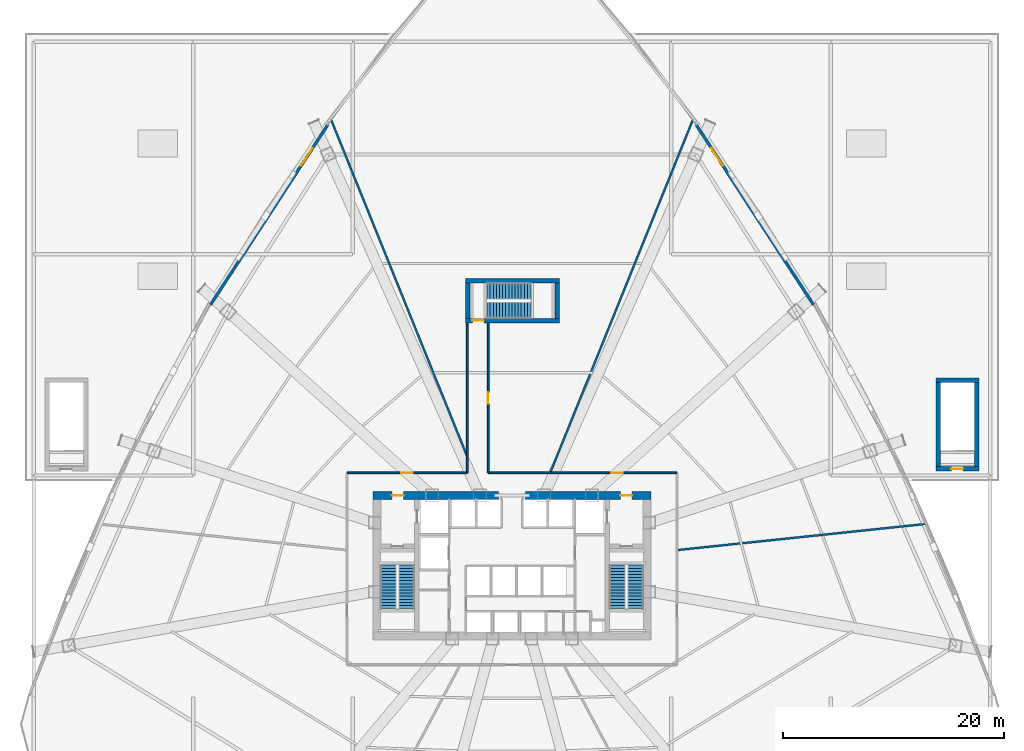
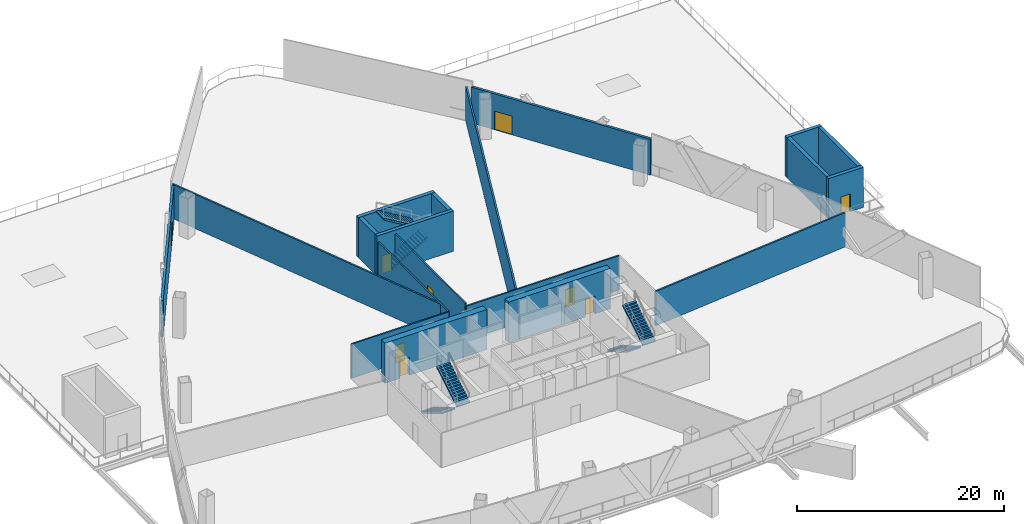
# One storey, part 11 of 18: 19 walls, 9 doors, 6 stair flights, 9 openings, 3 elements without a shape of their own.
"""IFC4 building model written with IfcOpenShell, lengths in metres."""

from ifc_helpers import new_model, si_unit, direction, frame, frame_2d, origin, origin_with_axes, place, context, subcontext, project, spatial, polyline, rectangle, outline, extrude, source, transform, mapped, material, layer, layer_set, type_object, element, fill, aggregate, save


model = new_model("IFC4")

# Units and contexts
model_context = context("Model", 3, precision=1e-05, world=origin(), true_north=direction((0.0, 1.0)))
body_context = subcontext(model_context, "Body", "Model", "MODEL_VIEW")
ifc_project = project(units=[si_unit("LENGTHUNIT", "METRE"), si_unit("AREAUNIT", "SQUARE_METRE"), si_unit("VOLUMEUNIT", "CUBIC_METRE"), si_unit("PLANEANGLEUNIT", "RADIAN"), si_unit("MASSUNIT", "GRAM", prefix="KILO"), si_unit("THERMODYNAMICTEMPERATUREUNIT", "KELVIN"), si_unit("POWERUNIT", "WATT")], contexts=[model_context])

# Site, building, storey
site_placement = place(None, origin())
site = spatial("IfcSite", under=ifc_project, at=site_placement, CompositionType="ELEMENT")
building_placement = place(site_placement, origin())
building = spatial("IfcBuilding", under=site, at=building_placement, Name="Yunzhuo Pagoda Commons", CompositionType="ELEMENT")
storey_placement = place(building_placement, frame((0.0, 0.0, 25.39990234375)))
storey = spatial("IfcBuildingStorey", under=building, at=storey_placement, Name="L06", CompositionType="ELEMENT", Elevation=25.39990234375)

# Wall, opening, door
ifc_material_1 = material(Name="Precast concrete C40", Category="concrete")
ifc_layer_1 = layer(ifc_material_1, 0.260009765625)
ifc_layer_set_1 = layer_set([ifc_layer_1], Name="Precast concrete C40")
wall_type_1 = type_object("IfcWallType", Name="W-BAL1 Corner Balcony Threshold Wall 260", PredefinedType="STANDARD", material=ifc_layer_set_1)
wall_1_placement = place(storey_placement, frame((75.2333984375, 57.429443359375, 0.0), z_axis=(0.0, 0.0, 1.0), x_axis=(-0.54584859594, 0.837883828648, 0.0)))
wall_1 = element("IfcWall", 1, at=wall_1_placement, inside=storey, type_object=wall_type_1, Name="L06 E roof garden access wall", PredefinedType="STANDARD", context=body_context, shape_type="SweptSolid", body=[
    extrude(rectangle(XDim=19.385986328125, YDim=0.260009765625, at=frame_2d((9.69287109375, 0.0))), origin(), (0.0, 0.0, 1.0), 4.239990234375),
])
opening_1_placement = place(wall_1_placement, frame((14.98583984375, 0.0, 0.0)))
opening_1 = element("IfcOpeningElement", 2, at=opening_1_placement, cuts=wall_1, Name="Opening D-TER1", PredefinedType="OPENING", context=body_context, shape_type="SweptSolid", body=[
    extrude(rectangle(XDim=1.89990234375, YDim=2.199951171875, at=frame_2d((0.949951171875, 1.10009765625))), frame((0.0, 0.14013671875, 0.0), z_axis=(0.0, -1.0, 0.0), x_axis=(1.0, 0.0, 0.0)), (0.0, 0.0, 1.0), 0.280029296875),
])
ifc_material_2 = material(Name="Anodized aluminium frame and tempered glazed leaf", Category="aluminium")
door_type_1 = type_object("IfcDoorType", Name="D-TER1 Double Sliding Terrace Door 1900x2200", OperationType="DOUBLE_DOOR_SLIDING", PredefinedType="DOOR", material=ifc_material_2)
shared_shape_1 = source(origin(), body_context, "Body", "SweptSolid", [
    extrude(rectangle(XDim=1.89990234375, YDim=2.199951171875, at=frame_2d((0.949951171875, 1.10009765625))), frame((0.0, 0.02490234375, 0.0), z_axis=(0.0, -1.0, 0.0), x_axis=(1.0, 0.0, 0.0)), (0.0, 0.0, 1.0), 0.050048828125),
])
door_1_placement = place(opening_1_placement, origin_with_axes())
door_1 = element("IfcDoor", 3, at=door_1_placement, inside=storey, type_object=door_type_1, Name="L06 east podium roof garden door", OperationType="DOUBLE_DOOR_SLIDING", OverallHeight=2.199951171875, OverallWidth=1.89990234375, PredefinedType="DOOR", context=body_context, shape_type="MappedRepresentation", body=[
    mapped(shared_shape_1, transform((0.0, 0.0, 0.0), scale=1.0)),
])
fill(opening_1, door_1)

wall_2_placement = place(storey_placement, frame((31.348388671875, 73.672607421875, 0.0), z_axis=(0.0, 0.0, 1.0), x_axis=(-0.54584859594, -0.837883828648, 0.0)))
wall_2 = element("IfcWall", 4, at=wall_2_placement, inside=storey, type_object=wall_type_1, Name="L06 W roof garden access wall", PredefinedType="STANDARD", context=body_context, shape_type="SweptSolid", body=[
    extrude(rectangle(XDim=19.385986328125, YDim=0.260009765625, at=frame_2d((9.69287109375, 0.0))), origin(), (0.0, 0.0, 1.0), 4.239990234375),
])
opening_2_placement = place(wall_2_placement, frame((2.5, 0.0, 0.0)))
opening_2 = element("IfcOpeningElement", 5, at=opening_2_placement, cuts=wall_2, Name="Opening D-TER1", PredefinedType="OPENING", context=body_context, shape_type="SweptSolid", body=[
    extrude(rectangle(XDim=1.89990234375, YDim=2.199951171875, at=frame_2d((0.949951171875, 1.10009765625))), frame((0.0, 0.14013671875, 0.0), z_axis=(0.0, -1.0, 0.0), x_axis=(1.0, 0.0, 0.0)), (0.0, 0.0, 1.0), 0.280029296875),
])
door_2_placement = place(opening_2_placement, origin_with_axes())
door_2 = element("IfcDoor", 6, at=door_2_placement, inside=storey, type_object=door_type_1, Name="L06 west podium roof garden door", OperationType="DOUBLE_DOOR_SLIDING", OverallHeight=2.199951171875, OverallWidth=1.89990234375, PredefinedType="DOOR", context=body_context, shape_type="MappedRepresentation", body=[
    mapped(shared_shape_1, transform((0.0, 0.0, 0.0), scale=1.0)),
])
fill(opening_2, door_2)

ifc_material_3 = material(Name="Concrete C60", Category="concrete")
ifc_layer_2 = layer(ifc_material_3, 0.699951171875)
ifc_layer_set_2 = layer_set([ifc_layer_2], Name="Concrete C60")
wall_type_2 = type_object("IfcWallType", Name="W-C01 Lower Core Shear Wall 700", PredefinedType="SHEAR", material=ifc_layer_set_2)
wall_3_placement = place(storey_placement, frame((35.449951171875, 40.199951171875, 0.0), z_axis=(0.0, 0.0, 1.0), x_axis=(1.0, 0.0, 0.0)))
wall_3 = element("IfcWall", 7, at=wall_3_placement, inside=storey, type_object=wall_type_2, Name="L06 core shear wall NW", PredefinedType="SHEAR", context=body_context, shape_type="SweptSolid", body=[
    extrude(rectangle(XDim=11.35009765625, YDim=0.699951171875, at=frame_2d((5.675048828125, 0.0))), origin(), (0.0, 0.0, 1.0), 4.739990234375),
])
opening_3_placement = place(wall_3_placement, frame((1.699951171875, 0.0, 0.0)))
opening_3 = element("IfcOpeningElement", 8, at=opening_3_placement, cuts=wall_3, Name="Opening D-02", PredefinedType="OPENING", context=body_context, shape_type="SweptSolid", body=[
    extrude(rectangle(XDim=1.050048828125, YDim=2.10009765625, at=frame_2d((0.52490234375, 1.050048828125))), frame((0.0, 0.35986328125, 0.0), z_axis=(0.0, -1.0, 0.0), x_axis=(1.0, 0.0, 0.0)), (0.0, 0.0, 1.0), 0.719970703125),
])
ifc_material_4 = material(Name="Galvanized fire-resisting metal leaf")
door_type_2 = type_object("IfcDoorType", Name="D-02 Firefighting Lobby & Refuge Fire Door 1050x2100", OperationType="NOTDEFINED", PredefinedType="DOOR", material=ifc_material_4)
shared_shape_2 = source(origin(), body_context, "Body", "SweptSolid", [
    extrude(rectangle(XDim=1.050048828125, YDim=2.10009765625, at=frame_2d((0.52490234375, 1.050048828125))), frame((0.0, 0.02490234375, 0.0), z_axis=(0.0, -1.0, 0.0), x_axis=(1.0, 0.0, 0.0)), (0.0, 0.0, 1.0), 0.050048828125),
])
door_3_placement = place(opening_3_placement, frame((1.050048828125, 0.0, 0.0), z_axis=(0.0, 0.0, 1.0), x_axis=(-1.0, 0.0, 0.0)))
door_3 = element("IfcDoor", 9, at=door_3_placement, inside=storey, type_object=door_type_2, Name="L06 Firefighting Lobby 1 fire door", OperationType="SINGLE_SWING_LEFT", OverallHeight=2.10009765625, OverallWidth=1.050048828125, PredefinedType="DOOR", context=body_context, shape_type="MappedRepresentation", body=[
    mapped(shared_shape_2, transform((0.0, 0.0, 0.0), scale=1.0)),
])
fill(opening_3, door_3)

wall_4_placement = place(storey_placement, frame((49.199951171875, 40.199951171875, 0.0), z_axis=(0.0, 0.0, 1.0), x_axis=(1.0, 0.0, 0.0)))
wall_4 = element("IfcWall", 10, at=wall_4_placement, inside=storey, type_object=wall_type_2, Name="L06 core shear wall NE", PredefinedType="SHEAR", context=body_context, shape_type="SweptSolid", body=[
    extrude(rectangle(XDim=11.35009765625, YDim=0.699951171875, at=frame_2d((5.675048828125, 0.0))), origin(), (0.0, 0.0, 1.0), 4.739990234375),
])
opening_4_placement = place(wall_4_placement, frame((8.60009765625, 0.0, 0.0)))
opening_4 = element("IfcOpeningElement", 11, at=opening_4_placement, cuts=wall_4, Name="Opening D-02", PredefinedType="OPENING", context=body_context, shape_type="SweptSolid", body=[
    extrude(rectangle(XDim=1.050048828125, YDim=2.10009765625, at=frame_2d((0.52490234375, 1.050048828125))), frame((0.0, 0.35986328125, 0.0), z_axis=(0.0, -1.0, 0.0), x_axis=(1.0, 0.0, 0.0)), (0.0, 0.0, 1.0), 0.719970703125),
])
door_4_placement = place(opening_4_placement, frame((1.050048828125, 0.0, 0.0), z_axis=(0.0, 0.0, 1.0), x_axis=(-1.0, 0.0, 0.0)))
door_4 = element("IfcDoor", 12, at=door_4_placement, inside=storey, type_object=door_type_2, Name="L06 Firefighting Lobby 2 fire door", OperationType="SINGLE_SWING_RIGHT", OverallHeight=2.10009765625, OverallWidth=1.050048828125, PredefinedType="DOOR", context=body_context, shape_type="MappedRepresentation", body=[
    mapped(shared_shape_2, transform((0.0, 0.0, 0.0), scale=1.0)),
])
fill(opening_4, door_4)

ifc_material_5 = material(Name="Gypsum plasterboard on acoustic stud")
ifc_layer_3 = layer(ifc_material_5, 0.159912109375)
ifc_layer_set_3 = layer_set([ifc_layer_3], Name="Gypsum plasterboard on acoustic stud")
wall_type_3 = type_object("IfcWallType", Name="W-COR1 Tower Rated Corridor Wall 160", PredefinedType="PARTITIONING", material=ifc_layer_set_3)
wall_5_placement = place(storey_placement, frame((45.85009765625, 55.780029296875, 0.0), z_axis=(0.0, 0.0, 1.0), x_axis=(0.0, -1.0, 0.0)))
wall_5 = element("IfcWall", 13, at=wall_5_placement, inside=storey, type_object=wall_type_3, Name="L06 interior wall IW-L06-SCW01", PredefinedType="PARTITIONING", context=body_context, shape_type="SweptSolid", body=[
    extrude(rectangle(XDim=13.530029296875, YDim=0.159912109375, at=frame_2d((6.76513671875, 0.0))), origin(), (0.0, 0.0, 1.0), 4.340087890625),
])
opening_5_placement = place(wall_5_placement, frame((6.239990234375, 0.0, 0.0)))
opening_5 = element("IfcOpeningElement", 14, at=opening_5_placement, cuts=wall_5, Name="Opening D-02", PredefinedType="OPENING", context=body_context, shape_type="SweptSolid", body=[
    extrude(rectangle(XDim=1.050048828125, YDim=2.10009765625, at=frame_2d((0.52490234375, 1.050048828125))), frame((0.0, 0.08984375, 0.0), z_axis=(0.0, -1.0, 0.0), x_axis=(1.0, 0.0, 0.0)), (0.0, 0.0, 1.0), 0.179931640625),
])
door_5_placement = place(opening_5_placement, origin_with_axes())
door_5 = element("IfcDoor", 15, at=door_5_placement, inside=storey, type_object=door_type_2, Name="L06 North Refuge Area door", OperationType="SINGLE_SWING_RIGHT", OverallHeight=2.10009765625, OverallWidth=1.050048828125, PredefinedType="DOOR", context=body_context, shape_type="MappedRepresentation", body=[
    mapped(shared_shape_2, transform((0.0, 0.0, 0.0), scale=1.0)),
])
fill(opening_5, door_5)

wall_6_placement = place(storey_placement, frame((45.85009765625, 42.25, 0.0), z_axis=(0.0, 0.0, 1.0), x_axis=(1.0, 0.0, 0.0)))
wall_6 = element("IfcWall", 16, at=wall_6_placement, inside=storey, type_object=wall_type_3, Name="L06 interior wall IW-L06-SCW02", PredefinedType="PARTITIONING", context=body_context, shape_type="SweptSolid", body=[
    extrude(rectangle(XDim=17.0498046875, YDim=0.159912109375, at=frame_2d((8.52490234375, 0.0))), origin(), (0.0, 0.0, 1.0), 4.0400390625),
])
opening_6_placement = place(wall_6_placement, frame((11.102294921875, 0.0, 0.0)))
opening_6 = element("IfcOpeningElement", 17, at=opening_6_placement, cuts=wall_6, Name="Opening D-02", PredefinedType="OPENING", context=body_context, shape_type="SweptSolid", body=[
    extrude(rectangle(XDim=1.050048828125, YDim=2.10009765625, at=frame_2d((0.52490234375, 1.050048828125))), frame((0.0, 0.08984375, 0.0), z_axis=(0.0, -1.0, 0.0), x_axis=(1.0, 0.0, 0.0)), (0.0, 0.0, 1.0), 0.179931640625),
])
door_6_placement = place(opening_6_placement, origin_with_axes())
door_6 = element("IfcDoor", 18, at=door_6_placement, inside=storey, type_object=door_type_2, Name="L06 Air Handling Plant Room door", OperationType="SINGLE_SWING_LEFT", OverallHeight=2.10009765625, OverallWidth=1.050048828125, PredefinedType="DOOR", context=body_context, shape_type="MappedRepresentation", body=[
    mapped(shared_shape_2, transform((0.0, 0.0, 0.0), scale=1.0)),
])
fill(opening_6, door_6)

wall_7_placement = place(storey_placement, frame((33.10009765625, 42.25, 0.0), z_axis=(0.0, 0.0, 1.0), x_axis=(1.0, 0.0, 0.0)))
wall_7 = element("IfcWall", 19, at=wall_7_placement, inside=storey, type_object=wall_type_3, Name="L06 interior wall IW-L06-SCW06", PredefinedType="PARTITIONING", context=body_context, shape_type="SweptSolid", body=[
    extrude(rectangle(XDim=10.849853515625, YDim=0.159912109375, at=frame_2d((5.4248046875, 0.0))), origin(), (0.0, 0.0, 1.0), 4.0400390625),
])
opening_7_placement = place(wall_7_placement, frame((4.89990234375, 0.0, 0.0)))
opening_7 = element("IfcOpeningElement", 20, at=opening_7_placement, cuts=wall_7, Name="Opening D-02", PredefinedType="OPENING", context=body_context, shape_type="SweptSolid", body=[
    extrude(rectangle(XDim=1.050048828125, YDim=2.10009765625, at=frame_2d((0.52490234375, 1.050048828125))), frame((0.0, 0.08984375, 0.0), z_axis=(0.0, -1.0, 0.0), x_axis=(1.0, 0.0, 0.0)), (0.0, 0.0, 1.0), 0.179931640625),
])
door_7_placement = place(opening_7_placement, origin_with_axes())
door_7 = element("IfcDoor", 21, at=door_7_placement, inside=storey, type_object=door_type_2, Name="L06 Hydronic and Fire Pump Plant Room door", OperationType="SINGLE_SWING_LEFT", OverallHeight=2.10009765625, OverallWidth=1.050048828125, PredefinedType="DOOR", context=body_context, shape_type="MappedRepresentation", body=[
    mapped(shared_shape_2, transform((0.0, 0.0, 0.0), scale=1.0)),
])
fill(opening_7, door_7)

# Walls
wall_8_placement = place(storey_placement, frame((43.949951171875, 42.25, 0.0), z_axis=(0.0, 0.0, 1.0), x_axis=(0.0, 1.0, 0.0)))
element("IfcWall", 22, at=wall_8_placement, inside=storey, type_object=wall_type_3, Name="L06 interior wall IW-L06-SCW07", PredefinedType="PARTITIONING", context=body_context, shape_type="SweptSolid", body=[
    extrude(rectangle(XDim=13.530029296875, YDim=0.159912109375, at=frame_2d((6.76513671875, 0.0))), origin(), (0.0, 0.0, 1.0), 4.0400390625),
])
ifc_layer_4 = layer(ifc_material_5, 0.179931640625)
ifc_layer_set_4 = layer_set([ifc_layer_4], Name="Gypsum plasterboard on acoustic stud")
wall_type_4 = type_object("IfcWallType", Name="W-PRT2 Acoustic Unit Demising Wall 180", PredefinedType="PARTITIONING", material=ifc_layer_set_4)
wall_9_placement = place(storey_placement, frame((62.89990234375, 35.26611328125, 0.0), z_axis=(0.0, 0.0, 1.0), x_axis=(0.994522243654, 0.104525149493, 0.0)))
element("IfcWall", 23, at=wall_9_placement, inside=storey, type_object=wall_type_4, Name="L06 interior wall IW-L06-SRAD1", PredefinedType="PARTITIONING", context=body_context, shape_type="SweptSolid", body=[
    extrude(rectangle(XDim=22.609619140625, YDim=0.179931640625, at=frame_2d((11.3046875, 0.0))), origin(), (0.0, 0.0, 1.0), 4.0400390625),
])
wall_10_placement = place(storey_placement, frame((51.454345703125, 42.25, 0.0), z_axis=(0.0, 0.0, 1.0), x_axis=(0.37460745467, 0.927183506597, 0.0)))
element("IfcWall", 24, at=wall_10_placement, inside=storey, type_object=wall_type_4, Name="L06 interior wall IW-L06-SRAD2", PredefinedType="PARTITIONING", context=body_context, shape_type="SweptSolid", body=[
    extrude(rectangle(XDim=34.521728515625, YDim=0.179931640625, at=frame_2d((17.2607421875, 0.0))), origin(), (0.0, 0.0, 1.0), 4.0400390625),
])
wall_11_placement = place(storey_placement, frame((43.949951171875, 43.72412109375, 0.0), z_axis=(0.0, 0.0, 1.0), x_axis=(-0.374604375639, 0.927184750604, 0.0)))
element("IfcWall", 25, at=wall_11_placement, inside=storey, type_object=wall_type_4, Name="L06 interior wall IW-L06-SRAD3", PredefinedType="PARTITIONING", context=body_context, shape_type="SweptSolid", body=[
    extrude(rectangle(XDim=32.931884765625, YDim=0.179931640625, at=frame_2d((16.4658203125, 0.0))), origin(), (0.0, 0.0, 1.0), 4.0400390625),
])
ifc_layer_5 = layer(ifc_material_3, 0.39990234375)
ifc_layer_set_5 = layer_set([ifc_layer_5], Name="Concrete C60")
wall_type_5 = type_object("IfcWallType", Name="W-S01 Internal Core Shear Web 400", PredefinedType="SHEAR", material=ifc_layer_set_5)
wall_12_placement = place(storey_placement, frame((86.300048828125, 50.60009765625, 0.0), z_axis=(0.0, 0.0, 1.0), x_axis=(1.0, 0.0, 0.0)))
element("IfcWall", 26, at=wall_12_placement, inside=storey, type_object=wall_type_5, Name="L06 PS4 structural stair wall N", PredefinedType="SHEAR", context=body_context, shape_type="SweptSolid", body=[
    extrude(rectangle(XDim=3.89990234375, YDim=0.39990234375, at=frame_2d((1.949951171875, 0.0))), origin(), (0.0, 0.0, 1.0), 4.739990234375),
])

# Wall, opening, door
wall_13_placement = place(storey_placement, frame((86.300048828125, 42.60009765625, 0.0), z_axis=(0.0, 0.0, 1.0), x_axis=(1.0, 0.0, 0.0)))
wall_13 = element("IfcWall", 27, at=wall_13_placement, inside=storey, type_object=wall_type_5, Name="L06 PS4 structural stair wall S", PredefinedType="SHEAR", context=body_context, shape_type="SweptSolid", body=[
    extrude(rectangle(XDim=3.89990234375, YDim=0.39990234375, at=frame_2d((1.949951171875, 0.0))), origin(), (0.0, 0.0, 1.0), 4.739990234375),
])
opening_8_placement = place(wall_13_placement, frame((1.39990234375, 0.0, 0.0)))
opening_8 = element("IfcOpeningElement", 28, at=opening_8_placement, cuts=wall_13, Name="Opening D-01", PredefinedType="OPENING", context=body_context, shape_type="SweptSolid", body=[
    extrude(rectangle(XDim=1.050048828125, YDim=2.10009765625, at=frame_2d((0.52490234375, 1.050048828125))), frame((0.0, 0.2099609375, 0.0), z_axis=(0.0, -1.0, 0.0), x_axis=(1.0, 0.0, 0.0)), (0.0, 0.0, 1.0), 0.419921875),
])
door_type_3 = type_object("IfcDoorType", Name="D-01 Smokeproof Stair Fire Door 1050x2100", OperationType="NOTDEFINED", PredefinedType="DOOR", material=ifc_material_4)
door_8_placement = place(opening_8_placement, frame((1.050048828125, 0.0, 0.0), z_axis=(0.0, 0.0, 1.0), x_axis=(-1.0, 0.0, 0.0)))
door_8 = element("IfcDoor", 29, at=door_8_placement, inside=storey, type_object=door_type_3, Name="L06 PS4 terrace exit door", OperationType="SINGLE_SWING_RIGHT", OverallHeight=2.10009765625, OverallWidth=1.050048828125, PredefinedType="DOOR", context=body_context, shape_type="MappedRepresentation", body=[
    mapped(shared_shape_2, transform((0.0, 0.0, 0.0), scale=1.0)),
])
fill(opening_8, door_8)

# Walls
for number, where, z_axis, x_axis, name in (
    (30, (86.5, 42.800048828125, 0.0), (0.0, 0.0, 1.0), (0.0, 1.0, 0.0), "L06 PS4 structural stair wall W"),
    (31, (90.0, 42.800048828125, 0.0), (0.0, 0.0, 1.0), (0.0, 1.0, 0.0), "L06 PS4 structural stair wall E"),
):
    element("IfcWall", number, at=place(storey_placement, frame(where, z_axis=z_axis, x_axis=x_axis)), inside=storey, type_object=wall_type_5, Name=name, PredefinedType="SHEAR", context=body_context, shape_type="SweptSolid", body=[
        extrude(rectangle(XDim=7.599853515625, YDim=0.39990234375, at=frame_2d((3.7998046875, 0.0))), origin(), (0.0, 0.0, 1.0), 4.739990234375),
    ])
wall_14_placement = place(storey_placement, frame((43.800048828125, 59.60009765625, 0.0), z_axis=(0.0, 0.0, 1.0), x_axis=(1.0, 0.0, 0.0)))
element("IfcWall", 32, at=wall_14_placement, inside=storey, type_object=wall_type_5, Name="L06 ST3 structural stair wall N", PredefinedType="SHEAR", context=body_context, shape_type="SweptSolid", body=[
    extrude(rectangle(XDim=8.5, YDim=0.39990234375, at=frame_2d((4.25, 0.0))), origin(), (0.0, 0.0, 1.0), 4.739990234375),
])

# Wall, opening, door
wall_15_placement = place(storey_placement, frame((43.800048828125, 56.0, 0.0), z_axis=(0.0, 0.0, 1.0), x_axis=(1.0, 0.0, 0.0)))
wall_15 = element("IfcWall", 33, at=wall_15_placement, inside=storey, type_object=wall_type_5, Name="L06 ST3 structural stair wall S", PredefinedType="SHEAR", context=body_context, shape_type="SweptSolid", body=[
    extrude(rectangle(XDim=8.5, YDim=0.39990234375, at=frame_2d((4.25, 0.0))), origin(), (0.0, 0.0, 1.0), 4.739990234375),
])
opening_9_placement = place(wall_15_placement, frame((0.6201171875, 0.0, 0.0)))
opening_9 = element("IfcOpeningElement", 34, at=opening_9_placement, cuts=wall_15, Name="Opening D-01", PredefinedType="OPENING", context=body_context, shape_type="SweptSolid", body=[
    extrude(rectangle(XDim=1.050048828125, YDim=2.10009765625, at=frame_2d((0.52490234375, 1.050048828125))), frame((0.0, 0.2099609375, 0.0), z_axis=(0.0, -1.0, 0.0), x_axis=(1.0, 0.0, 0.0)), (0.0, 0.0, 1.0), 0.419921875),
])
door_9_placement = place(opening_9_placement, frame((1.050048828125, 0.0, 0.0), z_axis=(0.0, 0.0, 1.0), x_axis=(-1.0, 0.0, 0.0)))
door_9 = element("IfcDoor", 35, at=door_9_placement, inside=storey, type_object=door_type_3, Name="L06 Stair ST3 fire door", OperationType="SINGLE_SWING_LEFT", OverallHeight=2.10009765625, OverallWidth=1.050048828125, PredefinedType="DOOR", context=body_context, shape_type="MappedRepresentation", body=[
    mapped(shared_shape_2, transform((0.0, 0.0, 0.0), scale=1.0)),
])
fill(opening_9, door_9)

# Walls
for number, where, z_axis, x_axis, name in (
    (36, (44.0, 56.199951171875, 0.0), (0.0, 0.0, 1.0), (0.0, 1.0, 0.0), "L06 ST3 structural stair wall W"),
    (37, (52.10009765625, 56.199951171875, 0.0), (0.0, 0.0, 1.0), (0.0, 1.0, 0.0), "L06 ST3 structural stair wall E"),
):
    element("IfcWall", number, at=place(storey_placement, frame(where, z_axis=z_axis, x_axis=x_axis)), inside=storey, type_object=wall_type_5, Name=name, PredefinedType="SHEAR", context=body_context, shape_type="SweptSolid", body=[
        extrude(rectangle(XDim=3.199951171875, YDim=0.39990234375, at=frame_2d((1.60009765625, 0.0))), origin(), (0.0, 0.0, 1.0), 4.739990234375),
    ])

# Stair, stair flights
ifc_material_6 = material(Name="Concrete C40", Category="concrete")
stair_type_1 = type_object("IfcStairType", Name="ST-C1 Core Smokeproof Stair ST1", PredefinedType="HALF_TURN_STAIR", material=ifc_material_6)
stair_1_placement = place(storey_placement, origin())
stair_1 = element("IfcStair", 38, at=stair_1_placement, inside=storey, type_object=stair_type_1, Name="L06 Core smokeproof stair ST1", PredefinedType="HALF_TURN_STAIR")
stair_flight_type_1 = type_object("IfcStairFlightType", Name="STF-C1 Core Stair Flight 1450", PredefinedType="STRAIGHT", material=ifc_material_6)
shared_shape_3 = source(origin(), body_context, "Body", "SweptSolid", [
    extrude(outline(polyline([(0.0, -0.14990234375), (0.0, 0.0), (0.0, 0.166748046875), (0.280029296875, 0.166748046875), (0.280029296875, 0.333251953125), (0.56005859375, 0.333251953125), (0.56005859375, 0.5), (0.840087890625, 0.5), (0.840087890625, 0.666748046875), (1.1201171875, 0.666748046875), (1.1201171875, 0.833251953125), (1.39990234375, 0.833251953125), (1.39990234375, 1.0), (1.679931640625, 1.0), (1.679931640625, 1.166748046875), (1.9599609375, 1.166748046875), (1.9599609375, 1.333251953125), (2.239990234375, 1.333251953125), (2.239990234375, 1.5), (2.52001953125, 1.5), (2.52001953125, 1.666748046875), (2.800048828125, 1.666748046875), (2.800048828125, 1.833251953125), (3.080078125, 1.833251953125), (3.080078125, 2.0), (3.360107421875, 2.0), (3.360107421875, 2.166748046875), (3.639892578125, 2.166748046875), (3.639892578125, 2.333251953125), (3.919921875, 2.333251953125), (3.919921875, 2.5), (3.919921875, 2.158935546875), (0.29296875, 0.0), (0.050048828125, -0.14990234375), (0.0, -0.14990234375)])), frame((0.0, 0.72509765625, 0.0), z_axis=(0.0, -1.0, 0.0), x_axis=(1.0, 0.0, 0.0)), (0.0, 0.0, 1.0), 1.449951171875),
])
stair_flight_1_placement = place(storey_placement, frame((36.824951171875, 33.89990234375, 0.0), z_axis=(0.0, 0.0, 1.0), x_axis=(0.0, -1.0, 0.0)))
stair_flight_1 = element("IfcStairFlight", 39, at=stair_flight_1_placement, type_object=stair_flight_type_1, Name="ST1 flight 1", NumberOfRisers=15, NumberOfTreads=14, PredefinedType="STRAIGHT", RiserHeight=0.166666667, TreadLength=0.28, context=body_context, shape_type="MappedRepresentation", body=[
    mapped(shared_shape_3, transform((0.0, 0.0, 0.0), scale=1.0)),
])
stair_flight_2_placement = place(storey_placement, frame((38.47509765625, 29.97998046875, 2.5), z_axis=(0.0, 0.0, 1.0), x_axis=(0.0, 1.0, 0.0)))
stair_flight_2 = element("IfcStairFlight", 40, at=stair_flight_2_placement, type_object=stair_flight_type_1, Name="ST1 flight 2", NumberOfRisers=15, NumberOfTreads=14, PredefinedType="STRAIGHT", RiserHeight=0.166666667, TreadLength=0.28, context=body_context, shape_type="MappedRepresentation", body=[
    mapped(shared_shape_3, transform((0.0, 0.0, 0.0), scale=1.0)),
])
aggregate(stair_1, [stair_flight_1, stair_flight_2])

stair_type_2 = type_object("IfcStairType", Name="ST-C2 Core Smokeproof Stair ST2", PredefinedType="HALF_TURN_STAIR", material=ifc_material_6)
stair_2_placement = place(storey_placement, origin())
stair_2 = element("IfcStair", 41, at=stair_2_placement, inside=storey, type_object=stair_type_2, Name="L06 Core smokeproof stair ST2", PredefinedType="HALF_TURN_STAIR")
stair_flight_type_2 = type_object("IfcStairFlightType", Name="STF-C2 Core Stair Flight 1460", PredefinedType="STRAIGHT", material=ifc_material_6)
stair_flight_3_placement = place(storey_placement, frame((57.52490234375, 33.89990234375, 0.0), z_axis=(0.0, 0.0, 1.0), x_axis=(0.0, -1.0, 0.0)))
stair_flight_3 = element("IfcStairFlight", 42, at=stair_flight_3_placement, type_object=stair_flight_type_2, Name="ST2 flight 1", NumberOfRisers=15, NumberOfTreads=14, PredefinedType="STRAIGHT", RiserHeight=0.166666667, TreadLength=0.28, context=body_context, shape_type="MappedRepresentation", body=[
    mapped(shared_shape_3, transform((0.0, 0.0, 0.0), scale=1.0)),
])
stair_flight_4_placement = place(storey_placement, frame((59.175048828125, 29.97998046875, 2.5), z_axis=(0.0, 0.0, 1.0), x_axis=(0.0, 1.0, 0.0)))
stair_flight_4 = element("IfcStairFlight", 43, at=stair_flight_4_placement, type_object=stair_flight_type_2, Name="ST2 flight 2", NumberOfRisers=15, NumberOfTreads=14, PredefinedType="STRAIGHT", RiserHeight=0.166666667, TreadLength=0.28, context=body_context, shape_type="MappedRepresentation", body=[
    mapped(shared_shape_3, transform((0.0, 0.0, 0.0), scale=1.0)),
])
aggregate(stair_2, [stair_flight_3, stair_flight_4])

stair_type_3 = type_object("IfcStairType", Name="ST-C3 North Tower Smokeproof Stair ST3", PredefinedType="HALF_TURN_STAIR", material=ifc_material_6)
stair_3_placement = place(storey_placement, origin())
stair_3 = element("IfcStair", 44, at=stair_3_placement, inside=storey, type_object=stair_type_3, Name="L06 North tower smokeproof stair ST3", PredefinedType="HALF_TURN_STAIR")
stair_flight_type_3 = type_object("IfcStairFlightType", Name="STF-C3 North Stair Flight 1500", PredefinedType="STRAIGHT", material=ifc_material_6)
shared_shape_4 = source(origin(), body_context, "Body", "SweptSolid", [
    extrude(outline(polyline([(0.0, -0.14990234375), (0.0, 0.0), (0.0, 0.166748046875), (0.280029296875, 0.166748046875), (0.280029296875, 0.333251953125), (0.56005859375, 0.333251953125), (0.56005859375, 0.5), (0.840087890625, 0.5), (0.840087890625, 0.666748046875), (1.1201171875, 0.666748046875), (1.1201171875, 0.833251953125), (1.39990234375, 0.833251953125), (1.39990234375, 1.0), (1.679931640625, 1.0), (1.679931640625, 1.166748046875), (1.9599609375, 1.166748046875), (1.9599609375, 1.333251953125), (2.239990234375, 1.333251953125), (2.239990234375, 1.5), (2.52001953125, 1.5), (2.52001953125, 1.666748046875), (2.800048828125, 1.666748046875), (2.800048828125, 1.833251953125), (3.080078125, 1.833251953125), (3.080078125, 2.0), (3.360107421875, 2.0), (3.360107421875, 2.166748046875), (3.639892578125, 2.166748046875), (3.639892578125, 2.333251953125), (3.919921875, 2.333251953125), (3.919921875, 2.5), (3.919921875, 2.158935546875), (0.29296875, 0.0), (0.050048828125, -0.14990234375), (0.0, -0.14990234375)])), frame((0.0, 0.75, 0.0), z_axis=(0.0, -1.0, 0.0), x_axis=(1.0, 0.0, 0.0)), (0.0, 0.0, 1.0), 1.5),
])
stair_flight_5_placement = place(storey_placement, frame((45.75, 56.949951171875, 0.0), z_axis=(0.0, 0.0, 1.0), x_axis=(1.0, 0.0, 0.0)))
stair_flight_5 = element("IfcStairFlight", 45, at=stair_flight_5_placement, type_object=stair_flight_type_3, Name="ST3 flight 1", NumberOfRisers=15, NumberOfTreads=14, PredefinedType="STRAIGHT", RiserHeight=0.166666667, TreadLength=0.28, context=body_context, shape_type="MappedRepresentation", body=[
    mapped(shared_shape_4, transform((0.0, 0.0, 0.0), scale=1.0)),
])
stair_flight_6_placement = place(storey_placement, frame((49.669921875, 58.64990234375, 2.5), z_axis=(0.0, 0.0, 1.0), x_axis=(-1.0, 0.0, 0.0)))
stair_flight_6 = element("IfcStairFlight", 46, at=stair_flight_6_placement, type_object=stair_flight_type_3, Name="ST3 flight 2", NumberOfRisers=15, NumberOfTreads=14, PredefinedType="STRAIGHT", RiserHeight=0.166666667, TreadLength=0.28, context=body_context, shape_type="MappedRepresentation", body=[
    mapped(shared_shape_4, transform((0.0, 0.0, 0.0), scale=1.0)),
])
aggregate(stair_3, [stair_flight_5, stair_flight_6])

save(model, "model.ifc")
